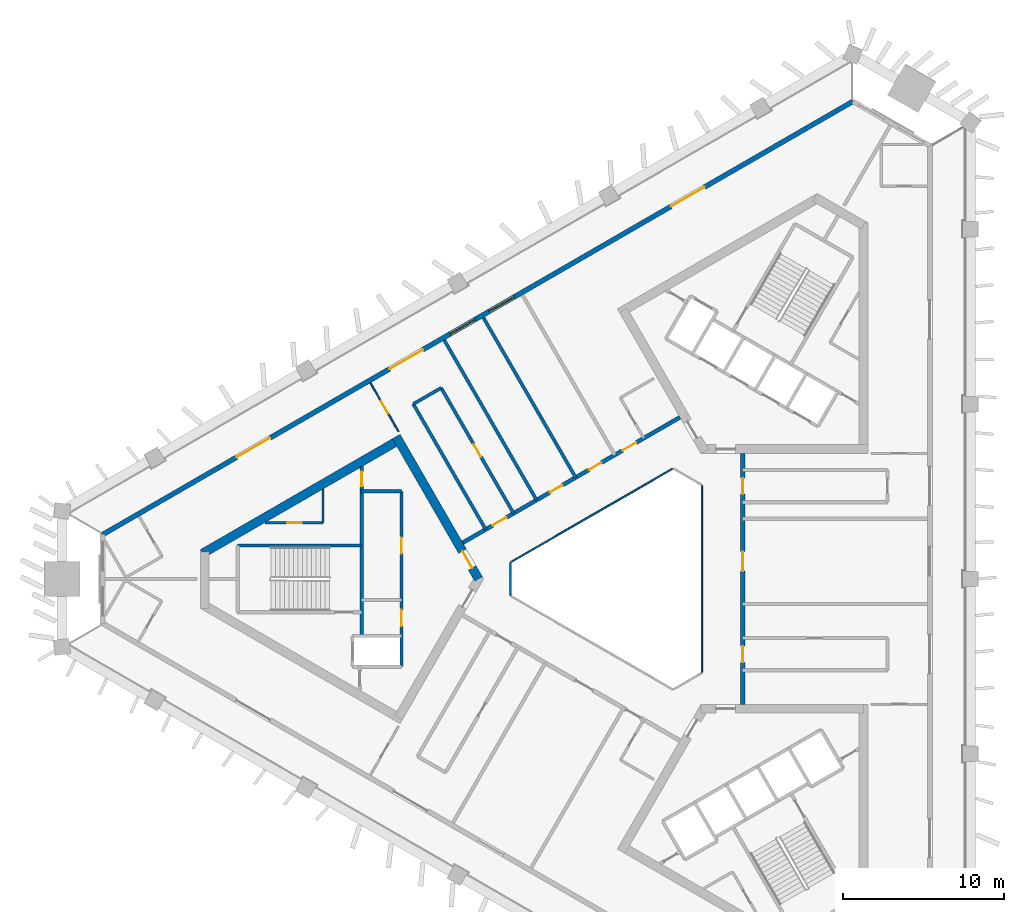
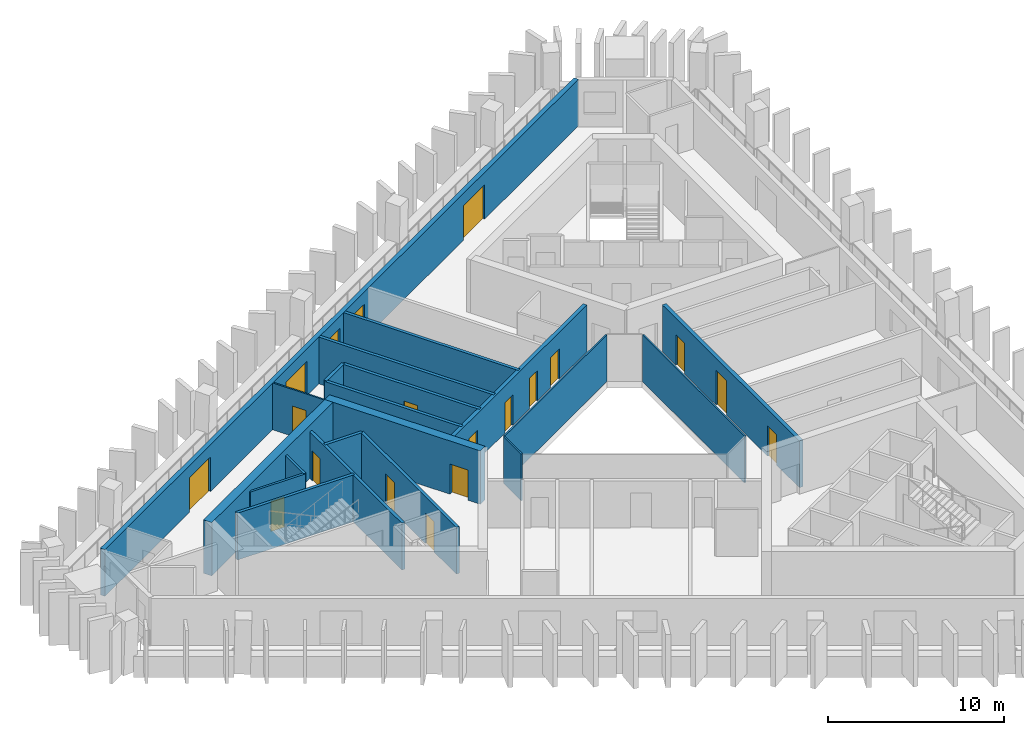
# One storey, part 4 of 10: 20 walls, 17 doors, 2 windows, 19 openings.
"""IFC4 building model written with IfcOpenShell, lengths in metres."""

from ifc_helpers import new_model, si_unit, direction, frame, frame_2d, origin, place, context, subcontext, project, spatial, rectangle, extrude, material, layer, layer_set, type_object, element, fill, save


model = new_model("IFC4")

# Units and contexts
model_context = context("Model", 3, precision=1e-05, world=origin(), true_north=direction((0.0, 1.0)))
body_context = subcontext(model_context, "Body", "Model", "MODEL_VIEW")
ifc_project = project(units=[si_unit("LENGTHUNIT", "METRE"), si_unit("AREAUNIT", "SQUARE_METRE"), si_unit("VOLUMEUNIT", "CUBIC_METRE"), si_unit("PLANEANGLEUNIT", "RADIAN"), si_unit("MASSUNIT", "GRAM", prefix="KILO")], contexts=[model_context])

# Site, building, storey
site_placement = place(None, origin())
site = spatial("IfcSite", under=ifc_project, at=site_placement, CompositionType="ELEMENT")
building_placement = place(site_placement, origin())
building = spatial("IfcBuilding", under=site, at=building_placement, Name="Jabali Bay Hotel Tower and Convention Centre", CompositionType="ELEMENT")
storey_placement = place(building_placement, frame((0.0, 0.0, 167.39990234375)))
storey = spatial("IfcBuildingStorey", under=building, at=storey_placement, Name="L40", CompositionType="ELEMENT", Elevation=167.39990234375)

# Walls
ifc_material_1 = material(Name="Fire-resistant glazing", Category="glass")
ifc_layer_1 = layer(ifc_material_1, 0.10009765625)
ifc_layer_set_1 = layer_set([ifc_layer_1], Name="Fire-resistant glazing")
wall_type_1 = type_object("IfcWallType", Name="Atrium glazed screen 100", PredefinedType="PARTITIONING", material=ifc_layer_set_1)
for number, where, z_axis, x_axis, name in (
    (1, (79.56005859375, 74.205810546875, 0.0), (0.0, 0.0, 1.0), (0.0, 1.0, 0.0), "Atrium screen 1 L40"),
    (2, (77.738037109375, 86.84619140625, 0.0), (0.0, 0.0, 1.0), (-0.866026658274, -0.499997827154, 0.0), "Atrium screen 3 L40"),
):
    element("IfcWall", number, at=place(storey_placement, frame(where, z_axis=z_axis, x_axis=x_axis)), inside=storey, type_object=wall_type_1, Name=name, PredefinedType="PARTITIONING", context=body_context, shape_type="SweptSolid", body=[
        extrude(rectangle(XDim=11.58837890625, YDim=0.10009765625, at=frame_2d((5.794189453125, 0.0))), origin(), (0.0, 0.0, 1.0), 3.25),
    ])
wall_1_placement = place(storey_placement, frame((67.672119140625, 81.0, 0.0), z_axis=(0.0, 0.0, 1.0), x_axis=(0.0, -1.0, 0.0)))
element("IfcWall", 3, at=wall_1_placement, inside=storey, type_object=wall_type_1, Name="Atrium screen 4 L40", PredefinedType="PARTITIONING", context=body_context, shape_type="SweptSolid", body=[
    extrude(rectangle(XDim=2.0, YDim=0.10009765625, at=frame_2d((1.0, 0.0))), origin(), (0.0, 0.0, 1.0), 3.25),
])

# Wall, opening, door
ifc_material_2 = material(Name="Fire-rated board partition")
ifc_layer_2 = layer(ifc_material_2, 0.14990234375)
ifc_layer_set_2 = layer_set([ifc_layer_2], Name="Fire-rated board partition")
wall_type_2 = type_object("IfcWallType", Name="Core room partition 150", PredefinedType="PARTITIONING", material=ifc_layer_set_2)
wall_2_placement = place(storey_placement, frame((56.02001953125, 83.5, 0.0), z_axis=(0.0, 0.0, 1.0), x_axis=(-1.0, 0.0, 0.0)))
wall_2 = element("IfcWall", 4, at=wall_2_placement, inside=storey, type_object=wall_type_2, Name="Core wall 0.1 L40", PredefinedType="PARTITIONING", context=body_context, shape_type="SweptSolid", body=[
    extrude(rectangle(XDim=3.617919921875, YDim=0.14990234375, at=frame_2d((1.80908203125, 0.0))), origin(), (0.0, 0.0, 1.0), 3.25),
])
opening_1_placement = place(wall_2_placement, frame((1.33154296875, 0.0, 0.0)))
opening_1 = element("IfcOpeningElement", 5, at=opening_1_placement, cuts=wall_2, Name="Opening D872", PredefinedType="OPENING", context=body_context, shape_type="SweptSolid", body=[
    extrude(rectangle(XDim=0.89990234375, YDim=2.10009765625, at=frame_2d((0.449951171875, 1.050048828125))), frame((0.0, 0.08544921875, 0.0), z_axis=(0.0, -1.0, 0.0), x_axis=(1.0, 0.0, 0.0)), (0.0, 0.0, 1.0), 0.1708984375),
])
ifc_material_3 = material(Name="Fire-rated steel door", Category="steel")
door_type_1 = type_object("IfcDoorType", Name="Core room door 900 x 2100", OperationType="NOTDEFINED", PredefinedType="NOTDEFINED", material=ifc_material_3)
door_1_placement = place(opening_1_placement, origin())
door_1 = element("IfcDoor", 6, at=door_1_placement, inside=storey, type_object=door_type_1, Name="Core room door D872", OperationType="SINGLE_SWING_LEFT", OverallHeight=2.10009765625, OverallWidth=0.89990234375, PredefinedType="NOTDEFINED", context=body_context, shape_type="SweptSolid", body=[
    extrude(rectangle(XDim=0.89990234375, YDim=2.10009765625, at=frame_2d((0.449951171875, 1.050048828125))), frame((0.0, 0.02490234375, 0.0), z_axis=(0.0, -1.0, 0.0), x_axis=(1.0, 0.0, 0.0)), (0.0, 0.0, 1.0), 0.050048828125),
])
fill(opening_1, door_1)

# Walls
wall_3_placement = place(storey_placement, frame((56.02001953125, 85.5888671875, 0.0), z_axis=(0.0, 0.0, 1.0), x_axis=(0.0, -1.0, 0.0)))
element("IfcWall", 7, at=wall_3_placement, inside=storey, type_object=wall_type_2, Name="Core wall 0.12 L40", PredefinedType="PARTITIONING", context=body_context, shape_type="SweptSolid", body=[
    extrude(rectangle(XDim=2.0888671875, YDim=0.14990234375, at=frame_2d((1.04443359375, 0.0))), origin(), (0.0, 0.0, 1.0), 3.25),
])
ifc_material_4 = material(Name="Concrete C40", Category="concrete")
ifc_layer_3 = layer(ifc_material_4, 0.199951171875)
ifc_layer_set_3 = layer_set([ifc_layer_3], Name="Concrete C40")
wall_type_3 = type_object("IfcWallType", Name="Core stair wall 200", PredefinedType="SOLIDWALL", material=ifc_layer_set_3)
wall_4_placement = place(storey_placement, frame((60.89990234375, 85.449951171875, 0.0), z_axis=(0.0, 0.0, 1.0), x_axis=(-1.0, 0.0, 0.0)))
element("IfcWall", 8, at=wall_4_placement, inside=storey, type_object=wall_type_3, Name="Core wall 0.0 L40", PredefinedType="SOLIDWALL", context=body_context, shape_type="SweptSolid", body=[
    extrude(rectangle(XDim=2.47998046875, YDim=0.199951171875, at=frame_2d((1.239990234375, 0.0))), origin(), (0.0, 0.0, 1.0), 3.25),
])
wall_5_placement = place(storey_placement, frame((58.419921875, 82.074951171875, 0.0), z_axis=(0.0, 0.0, 1.0), x_axis=(-1.0, 0.0, 0.0)))
element("IfcWall", 9, at=wall_5_placement, inside=storey, type_object=wall_type_3, Name="Core wall 0.2 L40", PredefinedType="SOLIDWALL", context=body_context, shape_type="SweptSolid", body=[
    extrude(rectangle(XDim=7.699951171875, YDim=0.199951171875, at=frame_2d((3.85009765625, 0.0))), origin(), (0.0, 0.0, 1.0), 3.25),
])

# Wall, openings, doors
wall_6_placement = place(storey_placement, frame((60.89990234375, 85.449951171875, 0.0), z_axis=(0.0, 0.0, 1.0), x_axis=(0.0, -1.0, 0.0)))
wall_6 = element("IfcWall", 10, at=wall_6_placement, inside=storey, type_object=wall_type_3, Name="Core wall 0.8 L40", PredefinedType="SOLIDWALL", context=body_context, shape_type="SweptSolid", body=[
    extrude(rectangle(XDim=10.89990234375, YDim=0.199951171875, at=frame_2d((5.449951171875, 0.0))), origin(), (0.0, 0.0, 1.0), 3.25),
])
opening_2_placement = place(wall_6_placement, frame((2.875, 0.0, 0.0)))
opening_2 = element("IfcOpeningElement", 11, at=opening_2_placement, cuts=wall_6, Name="Opening D867", PredefinedType="OPENING", context=body_context, shape_type="SweptSolid", body=[
    extrude(rectangle(XDim=1.0, YDim=2.10009765625, at=frame_2d((0.5, 1.050048828125))), frame((0.0, 0.1103515625, 0.0), z_axis=(0.0, -1.0, 0.0), x_axis=(1.0, 0.0, 0.0)), (0.0, 0.0, 1.0), 0.220947265625),
])
opening_3_placement = place(wall_6_placement, frame((7.375, 0.0, 0.0)))
opening_3 = element("IfcOpeningElement", 12, at=opening_3_placement, cuts=wall_6, Name="Opening D868", PredefinedType="OPENING", context=body_context, shape_type="SweptSolid", body=[
    extrude(rectangle(XDim=1.0, YDim=2.10009765625, at=frame_2d((0.5, 1.050048828125))), frame((0.0, 0.1103515625, 0.0), z_axis=(0.0, -1.0, 0.0), x_axis=(1.0, 0.0, 0.0)), (0.0, 0.0, 1.0), 0.220947265625),
])
door_type_2 = type_object("IfcDoorType", Name="Core room door 1000 x 2100", OperationType="NOTDEFINED", PredefinedType="NOTDEFINED", material=ifc_material_3)
door_2_placement = place(opening_2_placement, origin())
door_2 = element("IfcDoor", 13, at=door_2_placement, inside=storey, type_object=door_type_2, Name="Core room door D867", OperationType="SINGLE_SWING_RIGHT", OverallHeight=2.10009765625, OverallWidth=1.0, PredefinedType="NOTDEFINED", context=body_context, shape_type="SweptSolid", body=[
    extrude(rectangle(XDim=1.0, YDim=2.10009765625, at=frame_2d((0.5, 1.050048828125))), frame((0.0, 0.02490234375, 0.0), z_axis=(0.0, -1.0, 0.0), x_axis=(1.0, 0.0, 0.0)), (0.0, 0.0, 1.0), 0.050048828125),
])
fill(opening_2, door_2)
door_3_placement = place(opening_3_placement, origin())
door_3 = element("IfcDoor", 14, at=door_3_placement, inside=storey, type_object=door_type_2, Name="Core room door D868", OperationType="SINGLE_SWING_RIGHT", OverallHeight=2.10009765625, OverallWidth=1.0, PredefinedType="NOTDEFINED", context=body_context, shape_type="SweptSolid", body=[
    extrude(rectangle(XDim=1.0, YDim=2.10009765625, at=frame_2d((0.5, 1.050048828125))), frame((0.0, 0.02490234375, 0.0), z_axis=(0.0, -1.0, 0.0), x_axis=(1.0, 0.0, 0.0)), (0.0, 0.0, 1.0), 0.050048828125),
])
fill(opening_3, door_3)

# Wall, opening, door
wall_7_placement = place(storey_placement, frame((58.419921875, 86.974365234375, 0.0), z_axis=(0.0, 0.0, 1.0), x_axis=(0.0, -1.0, 0.0)))
wall_7 = element("IfcWall", 15, at=wall_7_placement, inside=storey, type_object=wall_type_3, Name="Core wall 0.9 L40", PredefinedType="SOLIDWALL", context=body_context, shape_type="SweptSolid", body=[
    extrude(rectangle(XDim=10.5244140625, YDim=0.199951171875, at=frame_2d((5.26220703125, 0.0))), origin(), (0.0, 0.0, 1.0), 3.25),
])
opening_4_placement = place(wall_7_placement, frame((0.312255859375, 0.0, 0.0)))
opening_4 = element("IfcOpeningElement", 16, at=opening_4_placement, cuts=wall_7, Name="Opening D870", PredefinedType="OPENING", context=body_context, shape_type="SweptSolid", body=[
    extrude(rectangle(XDim=0.89990234375, YDim=2.10009765625, at=frame_2d((0.449951171875, 1.050048828125))), frame((0.0, 0.1103515625, 0.0), z_axis=(0.0, -1.0, 0.0), x_axis=(1.0, 0.0, 0.0)), (0.0, 0.0, 1.0), 0.220947265625),
])
door_type_3 = type_object("IfcDoorType", Name="Vestibule fire door 900 x 2100", OperationType="NOTDEFINED", PredefinedType="NOTDEFINED", material=ifc_material_3)
door_4_placement = place(opening_4_placement, origin())
door_4 = element("IfcDoor", 17, at=door_4_placement, inside=storey, type_object=door_type_3, Name="Vestibule fire door D870", OperationType="SINGLE_SWING_LEFT", OverallHeight=2.10009765625, OverallWidth=0.89990234375, PredefinedType="NOTDEFINED", context=body_context, shape_type="SweptSolid", body=[
    extrude(rectangle(XDim=0.89990234375, YDim=2.10009765625, at=frame_2d((0.449951171875, 1.050048828125))), frame((0.0, 0.02490234375, 0.0), z_axis=(0.0, -1.0, 0.0), x_axis=(1.0, 0.0, 0.0)), (0.0, 0.0, 1.0), 0.050048828125),
])
fill(opening_4, door_4)

ifc_material_5 = material(Name="Concrete C60", Category="concrete")
ifc_layer_4 = layer(ifc_material_5, 0.550048828125)
ifc_layer_set_4 = layer_set([ifc_layer_4], Name="Concrete C60")
wall_type_4 = type_object("IfcWallType", Name="Core wall 550", PredefinedType="SHEAR", material=ifc_layer_set_4)
wall_8_placement = place(storey_placement, frame((65.682373046875, 80.0, 0.0), z_axis=(0.0, 0.0, 1.0), x_axis=(-0.500000202252, 0.866025287014, 0.0)))
wall_8 = element("IfcWall", 18, at=wall_8_placement, inside=storey, type_object=wall_type_4, Name="Core wall 1.1 L40", PredefinedType="SHEAR", context=body_context, shape_type="SweptSolid", body=[
    extrude(rectangle(XDim=10.22119140625, YDim=0.550048828125, at=frame_2d((5.110595703125, 0.0))), origin(), (0.0, 0.0, 1.0), 3.7001953125),
])
opening_5_placement = place(wall_8_placement, frame((0.791259765625, 0.0, 0.0)))
opening_5 = element("IfcOpeningElement", 19, at=opening_5_placement, cuts=wall_8, Name="Opening D865", PredefinedType="OPENING", context=body_context, shape_type="SweptSolid", body=[
    extrude(rectangle(XDim=1.199951171875, YDim=2.10009765625, at=frame_2d((0.60009765625, 1.050048828125))), frame((0.0, 0.28564453125, 0.0), z_axis=(0.0, -1.0, 0.0), x_axis=(1.0, 0.0, 0.0)), (0.0, 0.0, 1.0), 0.571044921875),
])
door_type_4 = type_object("IfcDoorType", Name="Corridor end fire door 1200 x 2100", OperationType="NOTDEFINED", PredefinedType="NOTDEFINED", material=ifc_material_3)
door_5_placement = place(opening_5_placement, origin())
door_5 = element("IfcDoor", 20, at=door_5_placement, inside=storey, type_object=door_type_4, Name="Corridor end fire door D865", OperationType="SINGLE_SWING_RIGHT", OverallHeight=2.10009765625, OverallWidth=1.199951171875, PredefinedType="NOTDEFINED", context=body_context, shape_type="SweptSolid", body=[
    extrude(rectangle(XDim=1.199951171875, YDim=2.10009765625, at=frame_2d((0.60009765625, 1.050048828125))), frame((0.0, 0.02490234375, 0.0), z_axis=(0.0, -1.0, 0.0), x_axis=(1.0, 0.0, 0.0)), (0.0, 0.0, 1.0), 0.050048828125),
])
fill(opening_5, door_5)

# Wall
wall_9_placement = place(storey_placement, frame((60.709228515625, 88.61376953125, 0.0), z_axis=(0.0, 0.0, 1.0), x_axis=(-0.866020164116, -0.500009075263, 0.0)))
element("IfcWall", 21, at=wall_9_placement, inside=storey, type_object=wall_type_4, Name="Core wall 1.2 L40", PredefinedType="SHEAR", context=body_context, shape_type="SweptSolid", body=[
    extrude(rectangle(XDim=14.058349609375, YDim=0.550048828125, at=frame_2d((7.029296875, 0.0))), origin(), (0.0, 0.0, 1.0), 3.7001953125),
])

# Wall, openings, doors
ifc_layer_5 = layer(ifc_material_5, 0.25)
ifc_layer_set_5 = layer_set([ifc_layer_5], Name="Concrete C60")
wall_type_5 = type_object("IfcWallType", Name="Corridor wall 250", PredefinedType="SHEAR", material=ifc_layer_set_5)
wall_10_placement = place(storey_placement, frame((82.10009765625, 72.205810546875, 0.0), z_axis=(0.0, 0.0, 1.0), x_axis=(0.0, 1.0, 0.0)))
wall_10 = element("IfcWall", 22, at=wall_10_placement, inside=storey, type_object=wall_type_5, Name="Corridor wall 1 L40", PredefinedType="SHEAR", context=body_context, shape_type="SweptSolid", body=[
    extrude(rectangle(XDim=15.58837890625, YDim=0.25, at=frame_2d((7.794189453125, 0.0))), origin(), (0.0, 0.0, 1.0), 3.25),
])
opening_6_placement = place(wall_10_placement, frame((2.61767578125, 0.0, 0.0)))
opening_6 = element("IfcOpeningElement", 23, at=opening_6_placement, cuts=wall_10, Name="Opening 4001", PredefinedType="OPENING", context=body_context, shape_type="SweptSolid", body=[
    extrude(rectangle(XDim=1.0, YDim=2.10009765625, at=frame_2d((0.5, 1.050048828125))), frame((0.0, 0.135498046875, 0.0), z_axis=(0.0, -1.0, 0.0), x_axis=(1.0, 0.0, 0.0)), (0.0, 0.0, 1.0), 0.27099609375),
])
opening_7_placement = place(wall_10_placement, frame((8.285400390625, 0.0, 0.0)))
opening_7 = element("IfcOpeningElement", 24, at=opening_7_placement, cuts=wall_10, Name="Opening 4005", PredefinedType="OPENING", context=body_context, shape_type="SweptSolid", body=[
    extrude(rectangle(XDim=1.199951171875, YDim=2.39990234375, at=frame_2d((0.60009765625, 1.199951171875))), frame((0.0, 0.135498046875, 0.0), z_axis=(0.0, -1.0, 0.0), x_axis=(1.0, 0.0, 0.0)), (0.0, 0.0, 1.0), 0.27099609375),
])
opening_8_placement = place(wall_10_placement, frame((13.06201171875, 0.0, 0.0)))
opening_8 = element("IfcOpeningElement", 25, at=opening_8_placement, cuts=wall_10, Name="Opening 4006", PredefinedType="OPENING", context=body_context, shape_type="SweptSolid", body=[
    extrude(rectangle(XDim=1.0, YDim=2.10009765625, at=frame_2d((0.5, 1.050048828125))), frame((0.0, 0.135498046875, 0.0), z_axis=(0.0, -1.0, 0.0), x_axis=(1.0, 0.0, 0.0)), (0.0, 0.0, 1.0), 0.27099609375),
])
ifc_material_6 = material(Name="Timber", Category="wood")
door_type_5 = type_object("IfcDoorType", Name="Guest room door 1000 x 2100", OperationType="NOTDEFINED", PredefinedType="NOTDEFINED", material=ifc_material_6)
door_6_placement = place(opening_6_placement, origin())
door_6 = element("IfcDoor", 26, at=door_6_placement, inside=storey, type_object=door_type_5, Name="Door 4001", OperationType="SINGLE_SWING_LEFT", OverallHeight=2.10009765625, OverallWidth=1.0, PredefinedType="NOTDEFINED", context=body_context, shape_type="SweptSolid", body=[
    extrude(rectangle(XDim=1.0, YDim=2.10009765625, at=frame_2d((0.5, 1.050048828125))), frame((0.0, 0.02490234375, 0.0), z_axis=(0.0, -1.0, 0.0), x_axis=(1.0, 0.0, 0.0)), (0.0, 0.0, 1.0), 0.050048828125),
])
fill(opening_6, door_6)
door_7_placement = place(opening_8_placement, origin())
door_7 = element("IfcDoor", 27, at=door_7_placement, inside=storey, type_object=door_type_5, Name="Door 4006", OperationType="SINGLE_SWING_RIGHT", OverallHeight=2.10009765625, OverallWidth=1.0, PredefinedType="NOTDEFINED", context=body_context, shape_type="SweptSolid", body=[
    extrude(rectangle(XDim=1.0, YDim=2.10009765625, at=frame_2d((0.5, 1.050048828125))), frame((0.0, 0.02490234375, 0.0), z_axis=(0.0, -1.0, 0.0), x_axis=(1.0, 0.0, 0.0)), (0.0, 0.0, 1.0), 0.050048828125),
])
fill(opening_8, door_7)
door_type_6 = type_object("IfcDoorType", Name="Public room door 1200 x 2400", OperationType="NOTDEFINED", PredefinedType="NOTDEFINED", material=ifc_material_6)
door_8_placement = place(opening_7_placement, origin())
door_8 = element("IfcDoor", 28, at=door_8_placement, inside=storey, type_object=door_type_6, Name="Door 4005", OperationType="SINGLE_SWING_RIGHT", OverallHeight=2.39990234375, OverallWidth=1.199951171875, PredefinedType="NOTDEFINED", context=body_context, shape_type="SweptSolid", body=[
    extrude(rectangle(XDim=1.199951171875, YDim=2.39990234375, at=frame_2d((0.60009765625, 1.199951171875))), frame((0.0, 0.02490234375, 0.0), z_axis=(0.0, -1.0, 0.0), x_axis=(1.0, 0.0, 0.0)), (0.0, 0.0, 1.0), 0.050048828125),
])
fill(opening_7, door_8)

wall_11_placement = place(storey_placement, frame((78.199951171875, 90.0458984375, 0.0), z_axis=(0.0, 0.0, 1.0), x_axis=(-0.866026492143, -0.499998114903, 0.0)))
wall_11 = element("IfcWall", 29, at=wall_11_placement, inside=storey, type_object=wall_type_5, Name="Corridor wall 2 L40", PredefinedType="SHEAR", context=body_context, shape_type="SweptSolid", body=[
    extrude(rectangle(XDim=15.58837890625, YDim=0.25, at=frame_2d((7.794189453125, 0.0))), origin(), (0.0, 0.0, 1.0), 3.25),
])
opening_9_placement = place(wall_11_placement, frame((3.13818359375, 0.0, 0.0)))
opening_9 = element("IfcOpeningElement", 30, at=opening_9_placement, cuts=wall_11, Name="Opening 4011", PredefinedType="OPENING", context=body_context, shape_type="SweptSolid", body=[
    extrude(rectangle(XDim=1.0, YDim=2.10009765625, at=frame_2d((0.5, 1.050048828125))), frame((0.0, 0.135498046875, 0.0), z_axis=(0.0, -1.0, 0.0), x_axis=(1.0, 0.0, 0.0)), (0.0, 0.0, 1.0), 0.27099609375),
])
opening_10_placement = place(wall_11_placement, frame((5.62939453125, 0.0, 0.0)))
opening_10 = element("IfcOpeningElement", 31, at=opening_10_placement, cuts=wall_11, Name="Opening 4012", PredefinedType="OPENING", context=body_context, shape_type="SweptSolid", body=[
    extrude(rectangle(XDim=0.89990234375, YDim=2.10009765625, at=frame_2d((0.449951171875, 1.050048828125))), frame((0.0, 0.135498046875, 0.0), z_axis=(0.0, -1.0, 0.0), x_axis=(1.0, 0.0, 0.0)), (0.0, 0.0, 1.0), 0.27099609375),
])
opening_11_placement = place(wall_11_placement, frame((8.435302734375, 0.0, 0.0)))
opening_11 = element("IfcOpeningElement", 32, at=opening_11_placement, cuts=wall_11, Name="Opening 4013", PredefinedType="OPENING", context=body_context, shape_type="SweptSolid", body=[
    extrude(rectangle(XDim=0.89990234375, YDim=2.10009765625, at=frame_2d((0.449951171875, 1.050048828125))), frame((0.0, 0.135498046875, 0.0), z_axis=(0.0, -1.0, 0.0), x_axis=(1.0, 0.0, 0.0)), (0.0, 0.0, 1.0), 0.27099609375),
])
opening_12_placement = place(wall_11_placement, frame((12.4384765625, 0.0, 0.0)))
opening_12 = element("IfcOpeningElement", 33, at=opening_12_placement, cuts=wall_11, Name="Opening 4014", PredefinedType="OPENING", context=body_context, shape_type="SweptSolid", body=[
    extrude(rectangle(XDim=1.0, YDim=2.10009765625, at=frame_2d((0.5, 1.050048828125))), frame((0.0, 0.135498046875, 0.0), z_axis=(0.0, -1.0, 0.0), x_axis=(1.0, 0.0, 0.0)), (0.0, 0.0, 1.0), 0.27099609375),
])
door_9_placement = place(opening_9_placement, origin())
door_9 = element("IfcDoor", 34, at=door_9_placement, inside=storey, type_object=door_type_5, Name="Door 4011", OperationType="SINGLE_SWING_LEFT", OverallHeight=2.10009765625, OverallWidth=1.0, PredefinedType="NOTDEFINED", context=body_context, shape_type="SweptSolid", body=[
    extrude(rectangle(XDim=1.0, YDim=2.10009765625, at=frame_2d((0.5, 1.050048828125))), frame((0.0, 0.02490234375, 0.0), z_axis=(0.0, -1.0, 0.0), x_axis=(1.0, 0.0, 0.0)), (0.0, 0.0, 1.0), 0.050048828125),
])
fill(opening_9, door_9)
door_10_placement = place(opening_12_placement, origin())
door_10 = element("IfcDoor", 35, at=door_10_placement, inside=storey, type_object=door_type_5, Name="Door 4014", OperationType="SINGLE_SWING_RIGHT", OverallHeight=2.10009765625, OverallWidth=1.0, PredefinedType="NOTDEFINED", context=body_context, shape_type="SweptSolid", body=[
    extrude(rectangle(XDim=1.0, YDim=2.10009765625, at=frame_2d((0.5, 1.050048828125))), frame((0.0, 0.02490234375, 0.0), z_axis=(0.0, -1.0, 0.0), x_axis=(1.0, 0.0, 0.0)), (0.0, 0.0, 1.0), 0.050048828125),
])
fill(opening_12, door_10)
door_type_7 = type_object("IfcDoorType", Name="Internal door 900 x 2100", OperationType="NOTDEFINED", PredefinedType="NOTDEFINED", material=ifc_material_6)
door_11_placement = place(opening_10_placement, origin())
door_11 = element("IfcDoor", 36, at=door_11_placement, inside=storey, type_object=door_type_7, Name="Door 4012", OperationType="SINGLE_SWING_LEFT", OverallHeight=2.10009765625, OverallWidth=0.89990234375, PredefinedType="NOTDEFINED", context=body_context, shape_type="SweptSolid", body=[
    extrude(rectangle(XDim=0.89990234375, YDim=2.10009765625, at=frame_2d((0.449951171875, 1.050048828125))), frame((0.0, 0.02490234375, 0.0), z_axis=(0.0, -1.0, 0.0), x_axis=(1.0, 0.0, 0.0)), (0.0, 0.0, 1.0), 0.050048828125),
])
fill(opening_10, door_11)
door_12_placement = place(opening_11_placement, origin())
door_12 = element("IfcDoor", 37, at=door_12_placement, inside=storey, type_object=door_type_7, Name="Door 4013", OperationType="SINGLE_SWING_RIGHT", OverallHeight=2.10009765625, OverallWidth=0.89990234375, PredefinedType="NOTDEFINED", context=body_context, shape_type="SweptSolid", body=[
    extrude(rectangle(XDim=0.89990234375, YDim=2.10009765625, at=frame_2d((0.449951171875, 1.050048828125))), frame((0.0, 0.02490234375, 0.0), z_axis=(0.0, -1.0, 0.0), x_axis=(1.0, 0.0, 0.0)), (0.0, 0.0, 1.0), 0.050048828125),
])
fill(opening_11, door_12)

# Wall, openings, doors, windows
ifc_layer_6 = layer(ifc_material_4, 0.300048828125)
ifc_layer_set_6 = layer_set([ifc_layer_6], Name="Concrete C40")
wall_type_6 = type_object("IfcWallType", Name="External wall 300", PredefinedType="SOLIDWALL", material=ifc_layer_set_6)
wall_12_placement = place(storey_placement, frame((42.3193359375, 82.754638671875, 0.0), z_axis=(0.0, 0.0, 1.0), x_axis=(0.866024017239, 0.50000240156, 0.0)))
wall_12 = element("IfcWall", 38, at=wall_12_placement, inside=storey, type_object=wall_type_6, Name="External wall north-west face L40", PredefinedType="SOLIDWALL", context=body_context, shape_type="SweptSolid", body=[
    extrude(rectangle(XDim=53.849853515625, YDim=0.300048828125, at=frame_2d((26.9248046875, 0.0))), origin(), (0.0, 0.0, 1.0), 3.25),
])
opening_13_placement = place(wall_12_placement, frame((20.580810546875, 0.0, 0.0)))
opening_13 = element("IfcOpeningElement", 39, at=opening_13_placement, cuts=wall_12, Name="Opening SD1", PredefinedType="OPENING", context=body_context, shape_type="SweptSolid", body=[
    extrude(rectangle(XDim=2.39990234375, YDim=2.39990234375, at=frame_2d((1.199951171875, 1.199951171875))), frame((0.0, 0.16064453125, 0.0), z_axis=(0.0, -1.0, 0.0), x_axis=(1.0, 0.0, 0.0)), (0.0, 0.0, 1.0), 0.321044921875),
])
opening_14_placement = place(wall_12_placement, frame((9.621826171875, 0.0, 0.0)))
opening_14 = element("IfcOpeningElement", 40, at=opening_14_placement, cuts=wall_12, Name="Opening SD1", PredefinedType="OPENING", context=body_context, shape_type="SweptSolid", body=[
    extrude(rectangle(XDim=2.39990234375, YDim=2.39990234375, at=frame_2d((1.199951171875, 1.199951171875))), frame((0.0, 0.16064453125, 0.0), z_axis=(0.0, -1.0, 0.0), x_axis=(1.0, 0.0, 0.0)), (0.0, 0.0, 1.0), 0.321044921875),
])
opening_15_placement = place(wall_12_placement, frame((40.78955078125, 0.0, 0.0)))
opening_15 = element("IfcOpeningElement", 41, at=opening_15_placement, cuts=wall_12, Name="Opening SD1", PredefinedType="OPENING", context=body_context, shape_type="SweptSolid", body=[
    extrude(rectangle(XDim=2.39990234375, YDim=2.39990234375, at=frame_2d((1.199951171875, 1.199951171875))), frame((0.0, 0.16064453125, 0.0), z_axis=(0.0, -1.0, 0.0), x_axis=(1.0, 0.0, 0.0)), (0.0, 0.0, 1.0), 0.321044921875),
])
opening_16_placement = place(wall_12_placement, frame((27.73974609375, 0.0, 0.89990234375)))
opening_16 = element("IfcOpeningElement", 42, at=opening_16_placement, cuts=wall_12, Name="Opening W1", PredefinedType="OPENING", context=body_context, shape_type="SweptSolid", body=[
    extrude(rectangle(XDim=1.800048828125, YDim=1.5, at=frame_2d((0.89990234375, 0.75))), frame((0.0, 0.16064453125, 0.0), z_axis=(0.0, -1.0, 0.0), x_axis=(1.0, 0.0, 0.0)), (0.0, 0.0, 1.0), 0.321044921875),
])
opening_17_placement = place(wall_12_placement, frame((24.933837890625, 0.0, 0.89990234375)))
opening_17 = element("IfcOpeningElement", 43, at=opening_17_placement, cuts=wall_12, Name="Opening W1", PredefinedType="OPENING", context=body_context, shape_type="SweptSolid", body=[
    extrude(rectangle(XDim=1.800048828125, YDim=1.5, at=frame_2d((0.89990234375, 0.75))), frame((0.0, 0.16064453125, 0.0), z_axis=(0.0, -1.0, 0.0), x_axis=(1.0, 0.0, 0.0)), (0.0, 0.0, 1.0), 0.321044921875),
])
ifc_material_7 = material(Name="Glass", Category="glass")
door_type_8 = type_object("IfcDoorType", Name="Loggia sliding door 2400 x 2400", OperationType="NOTDEFINED", PredefinedType="NOTDEFINED", material=ifc_material_7)
door_13_placement = place(opening_13_placement, origin())
door_13 = element("IfcDoor", 44, at=door_13_placement, inside=storey, type_object=door_type_8, Name="Loggia sliding door 4008", OperationType="SLIDING_TO_LEFT", OverallHeight=2.39990234375, OverallWidth=2.39990234375, PredefinedType="NOTDEFINED", context=body_context, shape_type="SweptSolid", body=[
    extrude(rectangle(XDim=2.39990234375, YDim=2.39990234375, at=frame_2d((1.199951171875, 1.199951171875))), frame((0.0, 0.02490234375, 0.0), z_axis=(0.0, -1.0, 0.0), x_axis=(1.0, 0.0, 0.0)), (0.0, 0.0, 1.0), 0.050048828125),
])
fill(opening_13, door_13)
door_14_placement = place(opening_14_placement, origin())
door_14 = element("IfcDoor", 45, at=door_14_placement, inside=storey, type_object=door_type_8, Name="Loggia sliding door 4008", OperationType="SLIDING_TO_RIGHT", OverallHeight=2.39990234375, OverallWidth=2.39990234375, PredefinedType="NOTDEFINED", context=body_context, shape_type="SweptSolid", body=[
    extrude(rectangle(XDim=2.39990234375, YDim=2.39990234375, at=frame_2d((1.199951171875, 1.199951171875))), frame((0.0, 0.02490234375, 0.0), z_axis=(0.0, -1.0, 0.0), x_axis=(1.0, 0.0, 0.0)), (0.0, 0.0, 1.0), 0.050048828125),
])
fill(opening_14, door_14)
door_15_placement = place(opening_15_placement, origin())
door_15 = element("IfcDoor", 46, at=door_15_placement, inside=storey, type_object=door_type_8, Name="Loggia sliding door 4005", OperationType="SLIDING_TO_LEFT", OverallHeight=2.39990234375, OverallWidth=2.39990234375, PredefinedType="NOTDEFINED", context=body_context, shape_type="SweptSolid", body=[
    extrude(rectangle(XDim=2.39990234375, YDim=2.39990234375, at=frame_2d((1.199951171875, 1.199951171875))), frame((0.0, 0.02490234375, 0.0), z_axis=(0.0, -1.0, 0.0), x_axis=(1.0, 0.0, 0.0)), (0.0, 0.0, 1.0), 0.050048828125),
])
fill(opening_15, door_15)
window_type = type_object("IfcWindowType", Name="Window 1800 x 1500", PartitioningType="SINGLE_PANEL", PredefinedType="WINDOW", material=ifc_material_7)
window_1_placement = place(opening_16_placement, origin())
window_1 = element("IfcWindow", 47, at=window_1_placement, inside=storey, type_object=window_type, Name="Window 4006", OverallHeight=1.5, OverallWidth=1.800048828125, PartitioningType="SINGLE_PANEL", PredefinedType="WINDOW", context=body_context, shape_type="SweptSolid", body=[
    extrude(rectangle(XDim=1.800048828125, YDim=1.5, at=frame_2d((0.89990234375, 0.75))), frame((0.0, 0.030029296875, 0.0), z_axis=(0.0, -1.0, 0.0), x_axis=(1.0, 0.0, 0.0)), (0.0, 0.0, 1.0), 0.06005859375),
])
fill(opening_16, window_1)
window_2_placement = place(opening_17_placement, origin())
window_2 = element("IfcWindow", 48, at=window_2_placement, inside=storey, type_object=window_type, Name="Window 4007", OverallHeight=1.5, OverallWidth=1.800048828125, PartitioningType="SINGLE_PANEL", PredefinedType="WINDOW", context=body_context, shape_type="SweptSolid", body=[
    extrude(rectangle(XDim=1.800048828125, YDim=1.5, at=frame_2d((0.89990234375, 0.75))), frame((0.0, 0.030029296875, 0.0), z_axis=(0.0, -1.0, 0.0), x_axis=(1.0, 0.0, 0.0)), (0.0, 0.0, 1.0), 0.06005859375),
])
fill(opening_17, window_2)

# Wall, opening, door
ifc_material_8 = material(Name="Plasterboard on steel stud", Category="steel")
ifc_layer_7 = layer(ifc_material_8, 0.10009765625)
ifc_layer_set_7 = layer_set([ifc_layer_7], Name="Plasterboard on steel stud")
wall_type_7 = type_object("IfcWallType", Name="Partition 100 unit", PredefinedType="PARTITIONING", material=ifc_layer_set_7)
wall_13_placement = place(storey_placement, frame((58.96142578125, 92.191162109375, 0.0), z_axis=(0.0, 0.0, 1.0), x_axis=(0.499982229883, -0.866035663123, 0.0)))
wall_13 = element("IfcWall", 49, at=wall_13_placement, inside=storey, type_object=wall_type_7, Name="Partition P02 L40 024", PredefinedType="PARTITIONING", context=body_context, shape_type="SweptSolid", body=[
    extrude(rectangle(XDim=3.498291015625, YDim=0.10009765625, at=frame_2d((1.7490234375, 0.0))), origin(), (0.0, 0.0, 1.0), 3.25),
])
opening_18_placement = place(wall_13_placement, frame((1.299072265625, 0.0, 0.0)))
opening_18 = element("IfcOpeningElement", 50, at=opening_18_placement, cuts=wall_13, Name="Opening 4015", PredefinedType="OPENING", context=body_context, shape_type="SweptSolid", body=[
    extrude(rectangle(XDim=0.89990234375, YDim=2.10009765625, at=frame_2d((0.449951171875, 1.050048828125))), frame((0.0, 0.060546875, 0.0), z_axis=(0.0, -1.0, 0.0), x_axis=(1.0, 0.0, 0.0)), (0.0, 0.0, 1.0), 0.12109375),
])
door_16_placement = place(opening_18_placement, origin())
door_16 = element("IfcDoor", 51, at=door_16_placement, inside=storey, type_object=door_type_7, Name="Door 4015", OperationType="SINGLE_SWING_LEFT", OverallHeight=2.10009765625, OverallWidth=0.89990234375, PredefinedType="NOTDEFINED", context=body_context, shape_type="SweptSolid", body=[
    extrude(rectangle(XDim=0.89990234375, YDim=2.10009765625, at=frame_2d((0.449951171875, 1.050048828125))), frame((0.0, 0.02490234375, 0.0), z_axis=(0.0, -1.0, 0.0), x_axis=(1.0, 0.0, 0.0)), (0.0, 0.0, 1.0), 0.050048828125),
])
fill(opening_18, door_16)

# Walls
ifc_layer_8 = layer(ifc_material_8, 0.199951171875)
ifc_layer_set_8 = layer_set([ifc_layer_8], Name="Plasterboard on steel stud")
wall_type_8 = type_object("IfcWallType", Name="Partition 200 party", PredefinedType="PARTITIONING", material=ifc_layer_set_8)
for number, where, z_axis, x_axis, name in (
    (52, (65.9814453125, 96.244140625, 0.0), (0.0, 0.0, 1.0), (0.499998657322, -0.866026178979, 0.0), "Partition P01 L40 022"),
    (53, (63.551513671875, 94.841064453125, 0.0), (0.0, 0.0, 1.0), (0.499998657322, -0.866026178979, 0.0), "Partition P01 L40 023"),
):
    element("IfcWall", number, at=place(storey_placement, frame(where, z_axis=z_axis, x_axis=x_axis)), inside=storey, type_object=wall_type_8, Name=name, PredefinedType="PARTITIONING", context=body_context, shape_type="SweptSolid", body=[
        extrude(rectangle(XDim=11.47705078125, YDim=0.199951171875, at=frame_2d((5.738525390625, 0.0))), origin(), (0.0, 0.0, 1.0), 3.25),
    ])
wall_14_placement = place(storey_placement, frame((66.12890625, 83.07666015625, 0.0), z_axis=(0.0, 0.0, 1.0), x_axis=(-0.5000018851, 0.866024315419, 0.0)))
element("IfcWall", 54, at=wall_14_placement, inside=storey, type_object=wall_type_8, Name="Partition P01 L40 025", PredefinedType="PARTITIONING", context=body_context, shape_type="SweptSolid", body=[
    extrude(rectangle(XDim=9.0, YDim=0.199951171875, at=frame_2d((4.5, 0.0))), origin(), (0.0, 0.0, 1.0), 3.25),
])
wall_15_placement = place(storey_placement, frame((61.62890625, 90.870849609375, 0.0), z_axis=(0.0, 0.0, 1.0), x_axis=(0.866041268327, 0.499972520799, 0.0)))
element("IfcWall", 55, at=wall_15_placement, inside=storey, type_object=wall_type_8, Name="Partition P01 L40 026", PredefinedType="PARTITIONING", context=body_context, shape_type="SweptSolid", body=[
    extrude(rectangle(XDim=2.0, YDim=0.199951171875, at=frame_2d((1.0, 0.0))), origin(), (0.0, 0.0, 1.0), 3.25),
])

# Wall, opening, door
wall_16_placement = place(storey_placement, frame((63.361083984375, 91.870849609375, 0.0), z_axis=(0.0, 0.0, 1.0), x_axis=(0.5000018851, -0.866024315419, 0.0)))
wall_16 = element("IfcWall", 56, at=wall_16_placement, inside=storey, type_object=wall_type_8, Name="Partition P01 L40 027", PredefinedType="PARTITIONING", context=body_context, shape_type="SweptSolid", body=[
    extrude(rectangle(XDim=9.0, YDim=0.199951171875, at=frame_2d((4.5, 0.0))), origin(), (0.0, 0.0, 1.0), 3.25),
])
opening_19_placement = place(wall_16_placement, frame((4.050048828125, 0.0, 0.0)))
opening_19 = element("IfcOpeningElement", 57, at=opening_19_placement, cuts=wall_16, Name="Opening 4017", PredefinedType="OPENING", context=body_context, shape_type="SweptSolid", body=[
    extrude(rectangle(XDim=0.89990234375, YDim=2.10009765625, at=frame_2d((0.449951171875, 1.050048828125))), frame((0.0, 0.1103515625, 0.0), z_axis=(0.0, -1.0, 0.0), x_axis=(1.0, 0.0, 0.0)), (0.0, 0.0, 1.0), 0.220947265625),
])
door_17_placement = place(opening_19_placement, origin())
door_17 = element("IfcDoor", 58, at=door_17_placement, inside=storey, type_object=door_type_7, Name="Door 4017", OperationType="SINGLE_SWING_RIGHT", OverallHeight=2.10009765625, OverallWidth=0.89990234375, PredefinedType="NOTDEFINED", context=body_context, shape_type="SweptSolid", body=[
    extrude(rectangle(XDim=0.89990234375, YDim=2.10009765625, at=frame_2d((0.449951171875, 1.050048828125))), frame((0.0, 0.02490234375, 0.0), z_axis=(0.0, -1.0, 0.0), x_axis=(1.0, 0.0, 0.0)), (0.0, 0.0, 1.0), 0.050048828125),
])
fill(opening_19, door_17)

save(model, "model.ifc")
